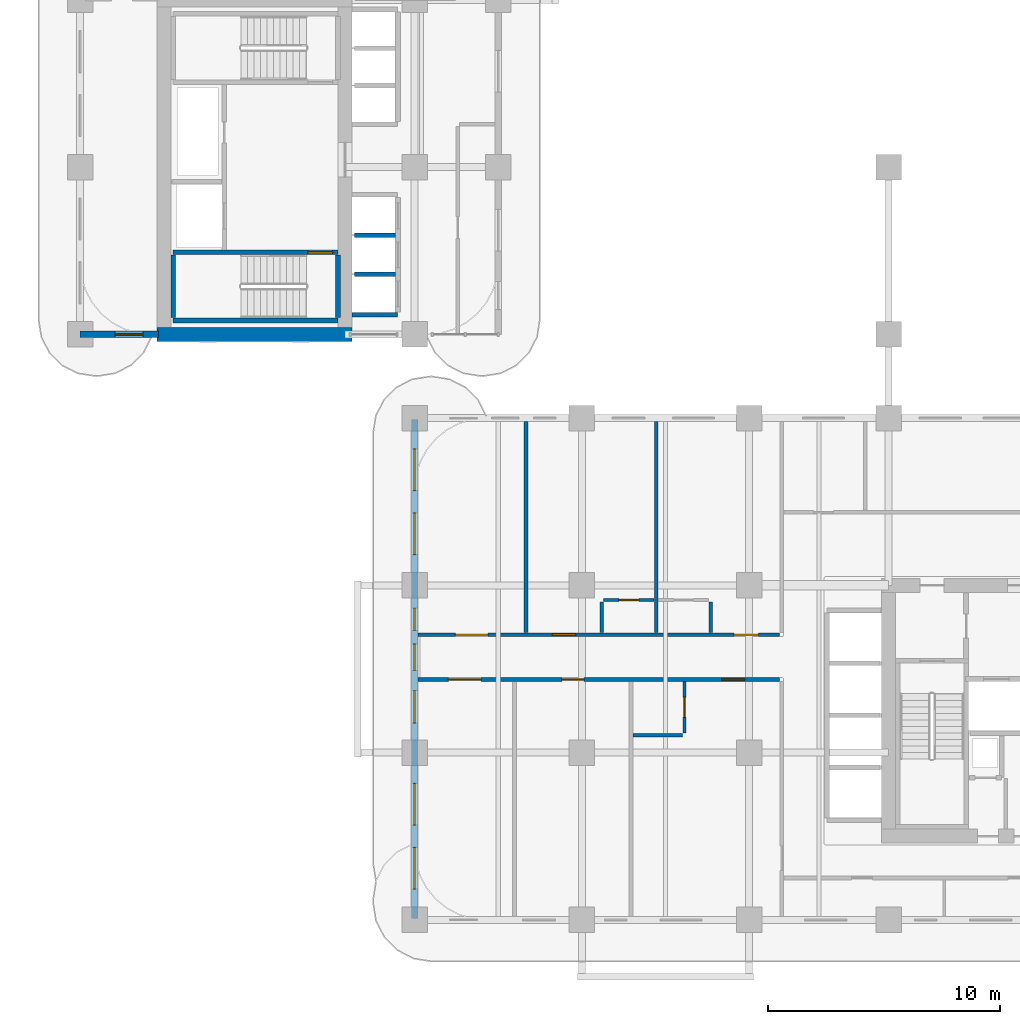
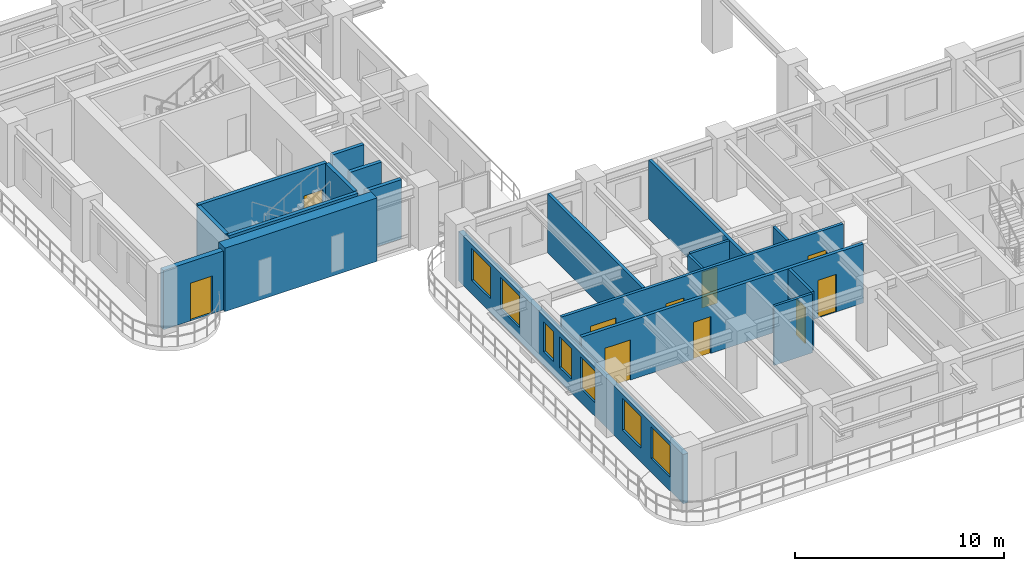
# One storey, part 6 of 18: 19 walls, 10 doors, 7 windows, 17 openings.
"""IFC4 building model written with IfcOpenShell, lengths in metres."""

from ifc_helpers import new_model, si_unit, derived_unit, direction, frame, frame_2d, origin, place, context, subcontext, project, spatial, rectangle, extrude, source, transform, mapped, material, layer, layer_set, type_object, type_shapes, element, fill, save


model = new_model("IFC4")

# Units and contexts
model_context = context("Model", 3, precision=1e-05, world=origin(), true_north=direction((0.0, 1.0)))
body_context = subcontext(model_context, "Body", "Model", "MODEL_VIEW")
ifc_project = project(units=[si_unit("LENGTHUNIT", "METRE"), si_unit("AREAUNIT", "SQUARE_METRE"), si_unit("VOLUMEUNIT", "CUBIC_METRE"), si_unit("PLANEANGLEUNIT", "RADIAN"), si_unit("MASSUNIT", "GRAM", prefix="KILO"), si_unit("THERMODYNAMICTEMPERATUREUNIT", "KELVIN"), si_unit("POWERUNIT", "WATT"), derived_unit("THERMALTRANSMITTANCEUNIT", [(si_unit("POWERUNIT", "WATT"), 1), (si_unit("AREAUNIT", "SQUARE_METRE"), -1), (si_unit("THERMODYNAMICTEMPERATUREUNIT", "KELVIN"), -1)])], contexts=[model_context])

# Site, building, storey
site_placement = place(None, origin())
site = spatial("IfcSite", under=ifc_project, at=site_placement, CompositionType="ELEMENT")
building_placement = place(site_placement, origin())
building = spatial("IfcBuilding", under=site, at=building_placement, Name="Zahravan Archway Hotel and Residences", CompositionType="ELEMENT")
storey_placement = place(building_placement, frame((0.0, 0.0, 50.89990234375)))
storey = spatial("IfcBuildingStorey", under=building, at=storey_placement, Name="L11", CompositionType="ELEMENT", Elevation=50.89990234375)

# Wall
ifc_material_1 = material(Name="Concrete C70/85", Category="concrete")
ifc_layer_1 = layer(ifc_material_1, 0.60009765625, Name="Concrete C70/85", Category="concrete")
ifc_layer_set_1 = layer_set([ifc_layer_1], Name="Concrete C70/85")
wall_type_1 = type_object("IfcWallType", Name="CW-CORE-600", PredefinedType="SHEAR", material=ifc_layer_set_1)
wall_1_placement = place(storey_placement, frame((3.300048828125, 25.199951171875, 0.0), z_axis=(0.0, 0.0, 1.0), x_axis=(1.0, 0.0, 0.0)))
element("IfcWall", 1, at=wall_1_placement, inside=storey, type_object=wall_type_1, Name="L11 Core B Shear S Wall 600 mm", PredefinedType="SHEAR", context=body_context, shape_type="SweptSolid", body=[
    extrude(rectangle(XDim=8.39990234375, YDim=0.60009765625, at=frame_2d((4.199951171875, 0.0))), origin(), (0.0, 0.0, 1.0), 3.7001953125),
])

# Wall, openings, windows
ifc_material_2 = material(Name="Honed Red-Ochre Sandstone & Insulated Block", Category="masonry")
ifc_layer_2 = layer(ifc_material_2, 0.280029296875, Name="Honed Red-Ochre Sandstone & Insulated Block", Category="masonry")
ifc_layer_set_2 = layer_set([ifc_layer_2], Name="Honed Red-Ochre Sandstone & Insulated Block")
wall_type_2 = type_object("IfcWallType", Name="EW-LOG-280", PredefinedType="SOLIDWALL", material=ifc_layer_set_2)
wall_2_placement = place(storey_placement, frame((14.39990234375, 0.050048828125, 0.0), z_axis=(0.0, 0.0, 1.0), x_axis=(0.0, 1.0, 0.0)))
wall_2 = element("IfcWall", 2, at=wall_2_placement, inside=storey, type_object=wall_type_2, Name="L11 Exterior Sandstone Wall WA-W", PredefinedType="SOLIDWALL", context=body_context, shape_type="SweptSolid", body=[
    extrude(rectangle(XDim=21.5, YDim=0.280029296875, at=frame_2d((10.75, 0.0))), origin(), (0.0, 0.0, 1.0), 2.885009765625),
])
opening_1_placement = place(wall_2_placement, frame((1.27490234375, 0.0, 0.800048828125)))
opening_1 = element("IfcOpeningElement", 3, at=opening_1_placement, cuts=wall_2, Name="Opening W-02", PredefinedType="OPENING", context=body_context, shape_type="SweptSolid", body=[
    extrude(rectangle(XDim=1.800048828125, YDim=1.85009765625, at=frame_2d((0.89990234375, 0.925048828125))), frame((0.0, 0.14990234375, 0.0), z_axis=(0.0, -1.0, 0.0), x_axis=(1.0, 0.0, 0.0)), (0.0, 0.0, 1.0), 0.300048828125),
])
opening_2_placement = place(wall_2_placement, frame((4.02490234375, 0.0, 0.800048828125)))
opening_2 = element("IfcOpeningElement", 4, at=opening_2_placement, cuts=wall_2, Name="Opening W-02", PredefinedType="OPENING", context=body_context, shape_type="SweptSolid", body=[
    extrude(rectangle(XDim=1.800048828125, YDim=1.85009765625, at=frame_2d((0.89990234375, 0.925048828125))), frame((0.0, 0.14990234375, 0.0), z_axis=(0.0, -1.0, 0.0), x_axis=(1.0, 0.0, 0.0)), (0.0, 0.0, 1.0), 0.300048828125),
])
opening_3_placement = place(wall_2_placement, frame((8.4208984375, 0.0, 0.800048828125)))
opening_3 = element("IfcOpeningElement", 5, at=opening_3_placement, cuts=wall_2, Name="Opening W-03", PredefinedType="OPENING", context=body_context, shape_type="SweptSolid", body=[
    extrude(rectangle(XDim=1.39990234375, YDim=1.85009765625, at=frame_2d((0.699951171875, 0.925048828125))), frame((0.0, 0.14990234375, 0.0), z_axis=(0.0, -1.0, 0.0), x_axis=(1.0, 0.0, 0.0)), (0.0, 0.0, 1.0), 0.300048828125),
])
opening_4_placement = place(wall_2_placement, frame((10.68505859375, 0.0, 0.800048828125)))
opening_4 = element("IfcOpeningElement", 6, at=opening_4_placement, cuts=wall_2, Name="Opening W-05", PredefinedType="OPENING", context=body_context, shape_type="SweptSolid", body=[
    extrude(rectangle(XDim=1.14990234375, YDim=1.800048828125, at=frame_2d((0.574951171875, 0.89990234375))), frame((0.0, 0.14990234375, 0.0), z_axis=(0.0, -1.0, 0.0), x_axis=(1.0, 0.0, 0.0)), (0.0, 0.0, 1.0), 0.300048828125),
])
opening_5_placement = place(wall_2_placement, frame((12.4140625, 0.0, 0.800048828125)))
opening_5 = element("IfcOpeningElement", 7, at=opening_5_placement, cuts=wall_2, Name="Opening W-04", PredefinedType="OPENING", context=body_context, shape_type="SweptSolid", body=[
    extrude(rectangle(XDim=0.949951171875, YDim=1.75, at=frame_2d((0.47509765625, 0.875))), frame((0.0, 0.14990234375, 0.0), z_axis=(0.0, -1.0, 0.0), x_axis=(1.0, 0.0, 0.0)), (0.0, 0.0, 1.0), 0.300048828125),
])
opening_6_placement = place(wall_2_placement, frame((15.675048828125, 0.0, 0.800048828125)))
opening_6 = element("IfcOpeningElement", 8, at=opening_6_placement, cuts=wall_2, Name="Opening W-02", PredefinedType="OPENING", context=body_context, shape_type="SweptSolid", body=[
    extrude(rectangle(XDim=1.800048828125, YDim=1.85009765625, at=frame_2d((0.89990234375, 0.925048828125))), frame((0.0, 0.14990234375, 0.0), z_axis=(0.0, -1.0, 0.0), x_axis=(1.0, 0.0, 0.0)), (0.0, 0.0, 1.0), 0.300048828125),
])
opening_7_placement = place(wall_2_placement, frame((18.425048828125, 0.0, 0.800048828125)))
opening_7 = element("IfcOpeningElement", 9, at=opening_7_placement, cuts=wall_2, Name="Opening W-02", PredefinedType="OPENING", context=body_context, shape_type="SweptSolid", body=[
    extrude(rectangle(XDim=1.800048828125, YDim=1.85009765625, at=frame_2d((0.89990234375, 0.925048828125))), frame((0.0, 0.14990234375, 0.0), z_axis=(0.0, -1.0, 0.0), x_axis=(1.0, 0.0, 0.0)), (0.0, 0.0, 1.0), 0.300048828125),
])
ifc_material_3 = material(Name="Bronze-Anodized Thermal-Break Aluminium & Low-E Glass", Category="aluminium")
window_type_1 = type_object("IfcWindowType", Name="WIN-TWR-1400", PartitioningType="SINGLE_PANEL", PredefinedType="WINDOW", material=ifc_material_3)
shared_shape_1 = source(origin(), body_context, "Body", "SweptSolid", [
    extrude(rectangle(XDim=1.39990234375, YDim=1.85009765625, at=frame_2d((0.699951171875, 0.925048828125))), frame((0.0, 0.030029296875, 0.0), z_axis=(0.0, -1.0, 0.0), x_axis=(1.0, 0.0, 0.0)), (0.0, 0.0, 1.0), 0.06005859375),
])
type_shapes(window_type_1, [shared_shape_1])
window_1_placement = place(opening_3_placement, origin())
window_1 = element("IfcWindow", 10, at=window_1_placement, inside=storey, type_object=window_type_1, Name="L11 Loggia Window 29", OverallHeight=1.85009765625, OverallWidth=1.39990234375, PartitioningType="SINGLE_PANEL", PredefinedType="WINDOW", context=body_context, shape_type="MappedRepresentation", body=[
    mapped(shared_shape_1, transform((0.0, 0.0, 0.0), scale=1.0)),
])
fill(opening_3, window_1)
window_type_2 = type_object("IfcWindowType", Name="WIN-NAR-950", PartitioningType="SINGLE_PANEL", PredefinedType="WINDOW", material=ifc_material_3)
shared_shape_2 = source(origin(), body_context, "Body", "SweptSolid", [
    extrude(rectangle(XDim=0.949951171875, YDim=1.75, at=frame_2d((0.47509765625, 0.875))), frame((0.0, 0.030029296875, 0.0), z_axis=(0.0, -1.0, 0.0), x_axis=(1.0, 0.0, 0.0)), (0.0, 0.0, 1.0), 0.06005859375),
])
type_shapes(window_type_2, [shared_shape_2])
window_2_placement = place(opening_5_placement, origin())
window_2 = element("IfcWindow", 11, at=window_2_placement, inside=storey, type_object=window_type_2, Name="L11 Loggia Window 31", OverallHeight=1.75, OverallWidth=0.949951171875, PartitioningType="SINGLE_PANEL", PredefinedType="WINDOW", context=body_context, shape_type="MappedRepresentation", body=[
    mapped(shared_shape_2, transform((0.0, 0.0, 0.0), scale=1.0)),
])
fill(opening_5, window_2)
window_type_3 = type_object("IfcWindowType", Name="WIN-TWR-1800", PartitioningType="DOUBLE_PANEL_VERTICAL", PredefinedType="WINDOW", material=ifc_material_3)
shared_shape_3 = source(origin(), body_context, "Body", "SweptSolid", [
    extrude(rectangle(XDim=1.800048828125, YDim=1.85009765625, at=frame_2d((0.89990234375, 0.925048828125))), frame((0.0, 0.030029296875, 0.0), z_axis=(0.0, -1.0, 0.0), x_axis=(1.0, 0.0, 0.0)), (0.0, 0.0, 1.0), 0.06005859375),
])
type_shapes(window_type_3, [shared_shape_3])
window_3_placement = place(opening_1_placement, origin())
window_3 = element("IfcWindow", 12, at=window_3_placement, inside=storey, type_object=window_type_3, Name="L11 Loggia Window 27", OverallHeight=1.85009765625, OverallWidth=1.800048828125, PartitioningType="DOUBLE_PANEL_VERTICAL", PredefinedType="WINDOW", context=body_context, shape_type="MappedRepresentation", body=[
    mapped(shared_shape_3, transform((0.0, 0.0, 0.0), scale=1.0)),
])
fill(opening_1, window_3)
window_4_placement = place(opening_2_placement, origin())
window_4 = element("IfcWindow", 13, at=window_4_placement, inside=storey, type_object=window_type_3, Name="L11 Loggia Window 28", OverallHeight=1.85009765625, OverallWidth=1.800048828125, PartitioningType="DOUBLE_PANEL_VERTICAL", PredefinedType="WINDOW", context=body_context, shape_type="MappedRepresentation", body=[
    mapped(shared_shape_3, transform((0.0, 0.0, 0.0), scale=1.0)),
])
fill(opening_2, window_4)
window_5_placement = place(opening_6_placement, origin())
window_5 = element("IfcWindow", 14, at=window_5_placement, inside=storey, type_object=window_type_3, Name="L11 Loggia Window 32", OverallHeight=1.85009765625, OverallWidth=1.800048828125, PartitioningType="DOUBLE_PANEL_VERTICAL", PredefinedType="WINDOW", context=body_context, shape_type="MappedRepresentation", body=[
    mapped(shared_shape_3, transform((0.0, 0.0, 0.0), scale=1.0)),
])
fill(opening_6, window_5)
window_6_placement = place(opening_7_placement, origin())
window_6 = element("IfcWindow", 15, at=window_6_placement, inside=storey, type_object=window_type_3, Name="L11 Loggia Window 33", OverallHeight=1.85009765625, OverallWidth=1.800048828125, PartitioningType="DOUBLE_PANEL_VERTICAL", PredefinedType="WINDOW", context=body_context, shape_type="MappedRepresentation", body=[
    mapped(shared_shape_3, transform((0.0, 0.0, 0.0), scale=1.0)),
])
fill(opening_7, window_6)
window_type_4 = type_object("IfcWindowType", Name="WIN-TWR-1150", PartitioningType="SINGLE_PANEL", PredefinedType="WINDOW", material=ifc_material_3)
shared_shape_4 = source(origin(), body_context, "Body", "SweptSolid", [
    extrude(rectangle(XDim=1.14990234375, YDim=1.800048828125, at=frame_2d((0.574951171875, 0.89990234375))), frame((0.0, 0.030029296875, 0.0), z_axis=(0.0, -1.0, 0.0), x_axis=(1.0, 0.0, 0.0)), (0.0, 0.0, 1.0), 0.06005859375),
])
type_shapes(window_type_4, [shared_shape_4])
window_7_placement = place(opening_4_placement, origin())
window_7 = element("IfcWindow", 16, at=window_7_placement, inside=storey, type_object=window_type_4, Name="L11 Loggia Window 30", OverallHeight=1.800048828125, OverallWidth=1.14990234375, PartitioningType="SINGLE_PANEL", PredefinedType="WINDOW", context=body_context, shape_type="MappedRepresentation", body=[
    mapped(shared_shape_4, transform((0.0, 0.0, 0.0), scale=1.0)),
])
fill(opening_4, window_7)

# Wall, opening, door
wall_3_placement = place(storey_placement, frame((0.0, 25.199951171875, 0.0), z_axis=(0.0, 0.0, 1.0), x_axis=(1.0, 0.0, 0.0)))
wall_3 = element("IfcWall", 17, at=wall_3_placement, inside=storey, type_object=wall_type_2, Name="L11 Exterior Sandstone Wall WB-SW", PredefinedType="SOLIDWALL", context=body_context, shape_type="SweptSolid", body=[
    extrude(rectangle(XDim=3.3798828125, YDim=0.280029296875, at=frame_2d((1.68994140625, 0.0))), origin(), (0.0, 0.0, 1.0), 3.4501953125),
])
opening_8_placement = place(wall_3_placement, frame((1.5, 0.0, 0.0)))
opening_8 = element("IfcOpeningElement", 18, at=opening_8_placement, cuts=wall_3, Name="Opening ED-BL1", PredefinedType="OPENING", context=body_context, shape_type="SweptSolid", body=[
    extrude(rectangle(XDim=1.199951171875, YDim=2.199951171875, at=frame_2d((0.60009765625, 1.10009765625))), frame((0.0, 0.14990234375, 0.0), z_axis=(0.0, -1.0, 0.0), x_axis=(1.0, 0.0, 0.0)), (0.0, 0.0, 1.0), 0.300048828125),
])
ifc_material_4 = material(Name="Bronze-Anodized Glazed Aluminium", Category="aluminium")
door_type_1 = type_object("IfcDoorType", Name="ED-BALC-1200", OperationType="SLIDING_TO_LEFT", PredefinedType="DOOR", material=ifc_material_4)
shared_shape_5 = source(origin(), body_context, "Body", "SweptSolid", [
    extrude(rectangle(XDim=1.199951171875, YDim=2.199951171875, at=frame_2d((0.60009765625, 1.10009765625))), frame((0.0, 0.02490234375, 0.0), z_axis=(0.0, -1.0, 0.0), x_axis=(1.0, 0.0, 0.0)), (0.0, 0.0, 1.0), 0.050048828125),
])
type_shapes(door_type_1, [shared_shape_5])
door_1_placement = place(opening_8_placement, origin())
door_1 = element("IfcDoor", 19, at=door_1_placement, inside=storey, type_object=door_type_1, Name="L11 Outdoor Access Sliding Door (SLB-BAL-L11-WB)", OperationType="SLIDING_TO_LEFT", OverallHeight=2.199951171875, OverallWidth=1.199951171875, PredefinedType="DOOR", context=body_context, shape_type="MappedRepresentation", body=[
    mapped(shared_shape_5, transform((0.0, 0.0, 0.0), scale=1.0)),
])
fill(opening_8, door_1)

# Wall, openings, doors
ifc_material_5 = material(Name="Fire-Rated Gypsum & Concrete Block", Category="concrete")
ifc_layer_3 = layer(ifc_material_5, 0.159912109375, Name="Fire-Rated Gypsum & Concrete Block", Category="concrete")
ifc_layer_set_3 = layer_set([ifc_layer_3], Name="Fire-Rated Gypsum & Concrete Block")
wall_type_3 = type_object("IfcWallType", Name="PW-CORR-160", PredefinedType="PARTITIONING", material=ifc_layer_set_3)
wall_4_placement = place(storey_placement, frame((14.548095703125, 12.27001953125, 0.0), z_axis=(0.0, 0.0, 1.0), x_axis=(1.0, 0.0, 0.0)))
wall_4 = element("IfcWall", 20, at=wall_4_placement, inside=storey, type_object=wall_type_3, Name="L11 Partition WA-CN", PredefinedType="PARTITIONING", context=body_context, shape_type="SweptSolid", body=[
    extrude(rectangle(XDim=15.56201171875, YDim=0.159912109375, at=frame_2d((7.781005859375, 0.0))), origin(), (0.0, 0.0, 1.0), 3.4501953125),
])
opening_9_placement = place(wall_4_placement, frame((1.60205078125, 0.0, 0.0)))
opening_9 = element("IfcOpeningElement", 21, at=opening_9_placement, cuts=wall_4, Name="Opening D-P1", PredefinedType="OPENING", context=body_context, shape_type="SweptSolid", body=[
    extrude(rectangle(XDim=1.39990234375, YDim=2.35009765625, at=frame_2d((0.699951171875, 1.175048828125))), frame((0.0, 0.08984375, 0.0), z_axis=(0.0, -1.0, 0.0), x_axis=(1.0, 0.0, 0.0)), (0.0, 0.0, 1.0), 0.179931640625),
])
opening_10_placement = place(wall_4_placement, frame((5.777099609375, 0.0, 0.0)))
opening_10 = element("IfcOpeningElement", 22, at=opening_10_placement, cuts=wall_4, Name="Opening D-U2", PredefinedType="OPENING", context=body_context, shape_type="SweptSolid", body=[
    extrude(rectangle(XDim=1.0, YDim=2.199951171875, at=frame_2d((0.5, 1.10009765625))), frame((0.0, 0.08984375, 0.0), z_axis=(0.0, -1.0, 0.0), x_axis=(1.0, 0.0, 0.0)), (0.0, 0.0, 1.0), 0.179931640625),
])
opening_11_placement = place(wall_4_placement, frame((13.60205078125, 0.0, 0.0)))
opening_11 = element("IfcOpeningElement", 23, at=opening_11_placement, cuts=wall_4, Name="Opening D-U1", PredefinedType="OPENING", context=body_context, shape_type="SweptSolid", body=[
    extrude(rectangle(XDim=1.050048828125, YDim=2.25, at=frame_2d((0.52490234375, 1.125))), frame((0.0, 0.08984375, 0.0), z_axis=(0.0, -1.0, 0.0), x_axis=(1.0, 0.0, 0.0)), (0.0, 0.0, 1.0), 0.179931640625),
])
door_type_2 = type_object("IfcDoorType", Name="ID-PUBLIC-1400", OperationType="DOUBLE_DOOR_SINGLE_SWING", PredefinedType="DOOR", material=ifc_material_4)
shared_shape_6 = source(origin(), body_context, "Body", "SweptSolid", [
    extrude(rectangle(XDim=1.39990234375, YDim=2.35009765625, at=frame_2d((0.699951171875, 1.175048828125))), frame((0.0, 0.02490234375, 0.0), z_axis=(0.0, -1.0, 0.0), x_axis=(1.0, 0.0, 0.0)), (0.0, 0.0, 1.0), 0.050048828125),
])
type_shapes(door_type_2, [shared_shape_6])
door_2_placement = place(opening_9_placement, origin())
door_2 = element("IfcDoor", 24, at=door_2_placement, inside=storey, type_object=door_type_2, Name="L11 Portal Dining Door", OperationType="DOUBLE_DOOR_SINGLE_SWING", OverallHeight=2.35009765625, OverallWidth=1.39990234375, PredefinedType="DOOR", context=body_context, shape_type="MappedRepresentation", body=[
    mapped(shared_shape_6, transform((0.0, 0.0, 0.0), scale=1.0)),
])
fill(opening_9, door_2)
ifc_material_6 = material(Name="Hardwood Veneer Timber", Category="wood")
door_type_3 = type_object("IfcDoorType", Name="ID-UNIT-1050", OperationType="NOTDEFINED", PredefinedType="DOOR", material=ifc_material_6)
shared_shape_7 = source(origin(), body_context, "Body", "SweptSolid", [
    extrude(rectangle(XDim=1.050048828125, YDim=2.25, at=frame_2d((0.52490234375, 1.125))), frame((0.0, 0.02490234375, 0.0), z_axis=(0.0, -1.0, 0.0), x_axis=(1.0, 0.0, 0.0)), (0.0, 0.0, 1.0), 0.050048828125),
])
type_shapes(door_type_3, [shared_shape_7])
door_3_placement = place(opening_11_placement, origin())
door_3 = element("IfcDoor", 25, at=door_3_placement, inside=storey, type_object=door_type_3, Name="L11 Hotel Guestroom 44 Entrance Door", OperationType="SINGLE_SWING_LEFT", OverallHeight=2.25, OverallWidth=1.050048828125, PredefinedType="DOOR", context=body_context, shape_type="MappedRepresentation", body=[
    mapped(shared_shape_7, transform((0.0, 0.0, 0.0), scale=1.0)),
])
fill(opening_11, door_3)
door_type_4 = type_object("IfcDoorType", Name="ID-UNIT-1000", OperationType="NOTDEFINED", PredefinedType="DOOR", material=ifc_material_6)
shared_shape_8 = source(origin(), body_context, "Body", "SweptSolid", [
    extrude(rectangle(XDim=1.0, YDim=2.199951171875, at=frame_2d((0.5, 1.10009765625))), frame((0.0, 0.02490234375, 0.0), z_axis=(0.0, -1.0, 0.0), x_axis=(1.0, 0.0, 0.0)), (0.0, 0.0, 1.0), 0.050048828125),
])
type_shapes(door_type_4, [shared_shape_8])
door_4_placement = place(opening_10_placement, origin())
door_4 = element("IfcDoor", 26, at=door_4_placement, inside=storey, type_object=door_type_4, Name="L11 Hotel Guestroom 43 Entrance Door", OperationType="SINGLE_SWING_LEFT", OverallHeight=2.199951171875, OverallWidth=1.0, PredefinedType="DOOR", context=body_context, shape_type="MappedRepresentation", body=[
    mapped(shared_shape_8, transform((0.0, 0.0, 0.0), scale=1.0)),
])
fill(opening_10, door_4)

ifc_layer_4 = layer(ifc_material_5, 0.179931640625, Name="Fire-Rated Gypsum & Concrete Block", Category="concrete")
ifc_layer_set_4 = layer_set([ifc_layer_4], Name="Fire-Rated Gypsum & Concrete Block")
wall_type_4 = type_object("IfcWallType", Name="PW-CORR-180", PredefinedType="PARTITIONING", material=ifc_layer_set_4)
wall_5_placement = place(storey_placement, frame((14.548095703125, 10.35009765625, 0.0), z_axis=(0.0, 0.0, 1.0), x_axis=(1.0, 0.0, 0.0)))
wall_5 = element("IfcWall", 27, at=wall_5_placement, inside=storey, type_object=wall_type_4, Name="L11 Partition WA-CS", PredefinedType="PARTITIONING", context=body_context, shape_type="SweptSolid", body=[
    extrude(rectangle(XDim=15.56201171875, YDim=0.179931640625, at=frame_2d((7.781005859375, 0.0))), origin(), (0.0, 0.0, 1.0), 3.4501953125),
])
opening_12_placement = place(wall_5_placement, frame((1.302001953125, 0.0, 0.0)))
opening_12 = element("IfcOpeningElement", 28, at=opening_12_placement, cuts=wall_5, Name="Opening D-P1", PredefinedType="OPENING", context=body_context, shape_type="SweptSolid", body=[
    extrude(rectangle(XDim=1.39990234375, YDim=2.35009765625, at=frame_2d((0.699951171875, 1.175048828125))), frame((0.0, 0.10009765625, 0.0), z_axis=(0.0, -1.0, 0.0), x_axis=(1.0, 0.0, 0.0)), (0.0, 0.0, 1.0), 0.199951171875),
])
opening_13_placement = place(wall_5_placement, frame((6.18701171875, 0.0, 0.0)))
opening_13 = element("IfcOpeningElement", 29, at=opening_13_placement, cuts=wall_5, Name="Opening D-I1", PredefinedType="OPENING", context=body_context, shape_type="SweptSolid", body=[
    extrude(rectangle(XDim=0.949951171875, YDim=2.14990234375, at=frame_2d((0.47509765625, 1.074951171875))), frame((0.0, 0.10009765625, 0.0), z_axis=(0.0, -1.0, 0.0), x_axis=(1.0, 0.0, 0.0)), (0.0, 0.0, 1.0), 0.199951171875),
])
opening_14_placement = place(wall_5_placement, frame((13.06201171875, 0.0, 0.0)))
opening_14 = element("IfcOpeningElement", 30, at=opening_14_placement, cuts=wall_5, Name="Opening D-U2", PredefinedType="OPENING", context=body_context, shape_type="SweptSolid", body=[
    extrude(rectangle(XDim=1.0, YDim=2.199951171875, at=frame_2d((0.5, 1.10009765625))), frame((0.0, 0.10009765625, 0.0), z_axis=(0.0, -1.0, 0.0), x_axis=(1.0, 0.0, 0.0)), (0.0, 0.0, 1.0), 0.199951171875),
])
door_5_placement = place(opening_12_placement, origin())
door_5 = element("IfcDoor", 31, at=door_5_placement, inside=storey, type_object=door_type_2, Name="L11 West Majlis Door", OperationType="DOUBLE_DOOR_SINGLE_SWING", OverallHeight=2.35009765625, OverallWidth=1.39990234375, PredefinedType="DOOR", context=body_context, shape_type="MappedRepresentation", body=[
    mapped(shared_shape_6, transform((0.0, 0.0, 0.0), scale=1.0)),
])
fill(opening_12, door_5)
door_type_5 = type_object("IfcDoorType", Name="ID-INT-950", OperationType="NOTDEFINED", PredefinedType="DOOR", material=ifc_material_6)
shared_shape_9 = source(origin(), body_context, "Body", "SweptSolid", [
    extrude(rectangle(XDim=0.949951171875, YDim=2.14990234375, at=frame_2d((0.47509765625, 1.074951171875))), frame((0.0, 0.02490234375, 0.0), z_axis=(0.0, -1.0, 0.0), x_axis=(1.0, 0.0, 0.0)), (0.0, 0.0, 1.0), 0.050048828125),
])
type_shapes(door_type_5, [shared_shape_9])
door_6_placement = place(opening_13_placement, origin())
door_6 = element("IfcDoor", 32, at=door_6_placement, inside=storey, type_object=door_type_5, Name="L11 Boardroom Door", OperationType="SINGLE_SWING_RIGHT", OverallHeight=2.14990234375, OverallWidth=0.949951171875, PredefinedType="DOOR", context=body_context, shape_type="MappedRepresentation", body=[
    mapped(shared_shape_9, transform((0.0, 0.0, 0.0), scale=1.0)),
])
fill(opening_13, door_6)
door_7_placement = place(opening_14_placement, origin())
door_7 = element("IfcDoor", 33, at=door_7_placement, inside=storey, type_object=door_type_4, Name="L11 Hotel Guestroom 21 Entrance Door", OperationType="SINGLE_SWING_RIGHT", OverallHeight=2.199951171875, OverallWidth=1.0, PredefinedType="DOOR", context=body_context, shape_type="MappedRepresentation", body=[
    mapped(shared_shape_8, transform((0.0, 0.0, 0.0), scale=1.0)),
])
fill(opening_14, door_7)

# Walls
ifc_layer_5 = layer(ifc_material_5, 0.199951171875, Name="Fire-Rated Gypsum & Concrete Block", Category="concrete")
ifc_layer_set_5 = layer_set([ifc_layer_5], Name="Fire-Rated Gypsum & Concrete Block")
wall_type_5 = type_object("IfcWallType", Name="PW-SHAFT-200", PredefinedType="PARTITIONING", material=ifc_layer_set_5)
wall_6_placement = place(storey_placement, frame((11.7099609375, 26.050048828125, 0.0), z_axis=(0.0, 0.0, 1.0), x_axis=(1.0, 0.0, 0.0)))
element("IfcWall", 34, at=wall_6_placement, inside=storey, type_object=wall_type_5, Name="L11 Partition B1-S", PredefinedType="PARTITIONING", context=body_context, shape_type="SweptSolid", body=[
    extrude(rectangle(XDim=1.9599609375, YDim=0.199951171875, at=frame_2d((0.97998046875, 0.0))), origin(), (0.0, 0.0, 1.0), 3.4501953125),
])
for number, where, z_axis, x_axis, name in (
    (35, (11.81005859375, 27.7900390625, 0.0), (0.0, 0.0, 1.0), (1.0, 0.0, 0.0), "L11 Partition B1-D"),
    (36, (11.81005859375, 29.469970703125, 0.0), (0.0, 0.0, 1.0), (1.0, 0.0, 0.0), "L11 Partition B1-D"),
):
    element("IfcWall", number, at=place(storey_placement, frame(where, z_axis=z_axis, x_axis=x_axis)), inside=storey, type_object=wall_type_5, Name=name, PredefinedType="PARTITIONING", context=body_context, shape_type="SweptSolid", body=[
        extrude(rectangle(XDim=1.760009765625, YDim=0.199951171875, at=frame_2d((0.8798828125, 0.0))), origin(), (0.0, 0.0, 1.0), 3.4501953125),
    ])
ifc_material_7 = material(Name="Acoustic Stud Partition")
ifc_layer_6 = layer(ifc_material_7, 0.169921875, Name="Acoustic Stud Partition")
ifc_layer_set_6 = layer_set([ifc_layer_6], Name="Acoustic Stud Partition")
wall_type_6 = type_object("IfcWallType", Name="PW-UNIT-170", PredefinedType="PARTITIONING", material=ifc_layer_set_6)
for number, where, z_axis, x_axis, name in (
    (37, (19.199951171875, 12.360107421875, 0.0), (0.0, 0.0, 1.0), (0.0, 1.0, 0.0), "L11 Partition WAN-P2A"),
    (38, (24.800048828125, 12.360107421875, 0.0), (0.0, 0.0, 1.0), (0.0, 1.0, 0.0), "L11 Partition WAN-P2B"),
):
    element("IfcWall", number, at=place(storey_placement, frame(where, z_axis=z_axis, x_axis=x_axis)), inside=storey, type_object=wall_type_6, Name=name, PredefinedType="PARTITIONING", context=body_context, shape_type="SweptSolid", body=[
        extrude(rectangle(XDim=9.091796875, YDim=0.169921875, at=frame_2d((4.5458984375, 0.0))), origin(), (0.0, 0.0, 1.0), 3.4501953125),
    ])

# Wall, opening, door
ifc_material_8 = material(Name="Moisture-Resistant Blockwork", Category="masonry")
ifc_layer_7 = layer(ifc_material_8, 0.139892578125, Name="Moisture-Resistant Blockwork", Category="masonry")
ifc_layer_set_7 = layer_set([ifc_layer_7], Name="Moisture-Resistant Blockwork")
wall_type_7 = type_object("IfcWallType", Name="PW-WET-140", PredefinedType="PARTITIONING", material=ifc_layer_set_7)
wall_7_placement = place(storey_placement, frame((26.02001953125, 8.0400390625, 0.0), z_axis=(0.0, 0.0, 1.0), x_axis=(0.0, 1.0, 0.0)))
wall_7 = element("IfcWall", 39, at=wall_7_placement, inside=storey, type_object=wall_type_7, Name="L11 Partition HKB-V21", PredefinedType="PARTITIONING", context=body_context, shape_type="SweptSolid", body=[
    extrude(rectangle(XDim=2.219970703125, YDim=0.139892578125, at=frame_2d((1.10986328125, 0.0))), origin(), (0.0, 0.0, 1.0), 3.4501953125),
])
opening_15_placement = place(wall_7_placement, frame((0.68505859375, 0.0, 0.0)))
opening_15 = element("IfcOpeningElement", 40, at=opening_15_placement, cuts=wall_7, Name="Opening D-B1", PredefinedType="OPENING", context=body_context, shape_type="SweptSolid", body=[
    extrude(rectangle(XDim=0.85009765625, YDim=2.10009765625, at=frame_2d((0.425048828125, 1.050048828125))), frame((0.0, 0.080078125, 0.0), z_axis=(0.0, -1.0, 0.0), x_axis=(1.0, 0.0, 0.0)), (0.0, 0.0, 1.0), 0.159912109375),
])
door_type_6 = type_object("IfcDoorType", Name="ID-BATH-850", OperationType="NOTDEFINED", PredefinedType="DOOR", material=ifc_material_6)
shared_shape_10 = source(origin(), body_context, "Body", "SweptSolid", [
    extrude(rectangle(XDim=0.85009765625, YDim=2.10009765625, at=frame_2d((0.425048828125, 1.050048828125))), frame((0.0, 0.02490234375, 0.0), z_axis=(0.0, -1.0, 0.0), x_axis=(1.0, 0.0, 0.0)), (0.0, 0.0, 1.0), 0.050048828125),
])
type_shapes(door_type_6, [shared_shape_10])
door_8_placement = place(opening_15_placement, origin())
door_8 = element("IfcDoor", 41, at=door_8_placement, inside=storey, type_object=door_type_6, Name="L11 Guestroom 21 En-Suite Door", OperationType="SINGLE_SWING_LEFT", OverallHeight=2.10009765625, OverallWidth=0.85009765625, PredefinedType="DOOR", context=body_context, shape_type="MappedRepresentation", body=[
    mapped(shared_shape_10, transform((0.0, 0.0, 0.0), scale=1.0)),
])
fill(opening_15, door_8)

# Walls
wall_8_placement = place(storey_placement, frame((23.81005859375, 7.949951171875, 0.0), z_axis=(0.0, 0.0, 1.0), x_axis=(1.0, 0.0, 0.0)))
element("IfcWall", 42, at=wall_8_placement, inside=storey, type_object=wall_type_7, Name="L11 Partition HKB-H21", PredefinedType="PARTITIONING", context=body_context, shape_type="SweptSolid", body=[
    extrude(rectangle(XDim=2.119873046875, YDim=0.139892578125, at=frame_2d((1.06005859375, 0.0))), origin(), (0.0, 0.0, 1.0), 3.4501953125),
])
wall_9_placement = place(storey_placement, frame((22.449951171875, 12.360107421875, 0.0), z_axis=(0.0, 0.0, 1.0), x_axis=(0.0, 1.0, 0.0)))
element("IfcWall", 43, at=wall_9_placement, inside=storey, type_object=wall_type_7, Name="L11 Partition HKB-V43", PredefinedType="PARTITIONING", context=body_context, shape_type="SweptSolid", body=[
    extrude(rectangle(XDim=1.31982421875, YDim=0.139892578125, at=frame_2d((0.659912109375, 0.0))), origin(), (0.0, 0.0, 1.0), 3.4501953125),
])

# Wall, opening, door
wall_10_placement = place(storey_placement, frame((22.5400390625, 13.77001953125, 0.0), z_axis=(0.0, 0.0, 1.0), x_axis=(1.0, 0.0, 0.0)))
wall_10 = element("IfcWall", 44, at=wall_10_placement, inside=storey, type_object=wall_type_7, Name="L11 Partition HKB-H43", PredefinedType="PARTITIONING", context=body_context, shape_type="SweptSolid", body=[
    extrude(rectangle(XDim=2.169921875, YDim=0.139892578125, at=frame_2d((1.0849609375, 0.0))), origin(), (0.0, 0.0, 1.0), 3.4501953125),
])
opening_16_placement = place(wall_10_placement, frame((0.659912109375, 0.0, 0.0)))
opening_16 = element("IfcOpeningElement", 45, at=opening_16_placement, cuts=wall_10, Name="Opening D-B1", PredefinedType="OPENING", context=body_context, shape_type="SweptSolid", body=[
    extrude(rectangle(XDim=0.85009765625, YDim=2.10009765625, at=frame_2d((0.425048828125, 1.050048828125))), frame((0.0, 0.080078125, 0.0), z_axis=(0.0, -1.0, 0.0), x_axis=(1.0, 0.0, 0.0)), (0.0, 0.0, 1.0), 0.159912109375),
])
door_9_placement = place(opening_16_placement, origin())
door_9 = element("IfcDoor", 46, at=door_9_placement, inside=storey, type_object=door_type_6, Name="L11 Guestroom 43 En-Suite Door", OperationType="SINGLE_SWING_RIGHT", OverallHeight=2.10009765625, OverallWidth=0.85009765625, PredefinedType="DOOR", context=body_context, shape_type="MappedRepresentation", body=[
    mapped(shared_shape_10, transform((0.0, 0.0, 0.0), scale=1.0)),
])
fill(opening_16, door_9)

# Walls
wall_11_placement = place(storey_placement, frame((27.14990234375, 12.360107421875, 0.0), z_axis=(0.0, 0.0, 1.0), x_axis=(0.0, 1.0, 0.0)))
element("IfcWall", 47, at=wall_11_placement, inside=storey, type_object=wall_type_7, Name="L11 Partition HKB-V44", PredefinedType="PARTITIONING", context=body_context, shape_type="SweptSolid", body=[
    extrude(rectangle(XDim=1.31982421875, YDim=0.139892578125, at=frame_2d((0.659912109375, 0.0))), origin(), (0.0, 0.0, 1.0), 3.4501953125),
])
ifc_material_9 = material(Name="Concrete C50/60", Category="concrete")
ifc_layer_8 = layer(ifc_material_9, 0.199951171875, Name="Concrete C50/60", Category="concrete")
ifc_layer_set_8 = layer_set([ifc_layer_8], Name="Concrete C50/60")
wall_type_8 = type_object("IfcWallType", Name="SW-STAIR-200", PredefinedType="SHEAR", material=ifc_layer_set_8)
wall_12_placement = place(storey_placement, frame((4.0, 25.800048828125, 0.0), z_axis=(0.0, 0.0, 1.0), x_axis=(1.0, 0.0, 0.0)))
element("IfcWall", 48, at=wall_12_placement, inside=storey, type_object=wall_type_8, Name="L11 Stairwell RC Wall CB-SB1S", PredefinedType="SHEAR", context=body_context, shape_type="SweptSolid", body=[
    extrude(rectangle(XDim=7.10009765625, YDim=0.199951171875, at=frame_2d((3.550048828125, 0.0))), origin(), (0.0, 0.0, 1.0), 3.7001953125),
])
for number, where, z_axis, x_axis, name in (
    (49, (4.0, 25.919921875, 0.0), (0.0, 0.0, 1.0), (0.0, 1.0, 0.0), "L11 Stairwell RC Wall CB-SB1W"),
    (50, (11.10009765625, 25.919921875, 0.0), (0.0, 0.0, 1.0), (0.0, 1.0, 0.0), "L11 Stairwell RC Wall CB-SB1E"),
):
    element("IfcWall", number, at=place(storey_placement, frame(where, z_axis=z_axis, x_axis=x_axis)), inside=storey, type_object=wall_type_8, Name=name, PredefinedType="SHEAR", context=body_context, shape_type="SweptSolid", body=[
        extrude(rectangle(XDim=2.7001953125, YDim=0.199951171875, at=frame_2d((1.35009765625, 0.0))), origin(), (0.0, 0.0, 1.0), 3.7001953125),
    ])

# Wall, opening, door
wall_13_placement = place(storey_placement, frame((4.0, 28.739990234375, 0.0), z_axis=(0.0, 0.0, 1.0), x_axis=(1.0, 0.0, 0.0)))
wall_13 = element("IfcWall", 51, at=wall_13_placement, inside=storey, type_object=wall_type_8, Name="L11 Stairwell RC Wall CB-SB1N", PredefinedType="SHEAR", context=body_context, shape_type="SweptSolid", body=[
    extrude(rectangle(XDim=7.10009765625, YDim=0.199951171875, at=frame_2d((3.550048828125, 0.0))), origin(), (0.0, 0.0, 1.0), 3.7001953125),
])
opening_17_placement = place(wall_13_placement, frame((5.81494140625, 0.0, 0.0)))
opening_17 = element("IfcOpeningElement", 52, at=opening_17_placement, cuts=wall_13, Name="Opening FD-S1", PredefinedType="OPENING", context=body_context, shape_type="SweptSolid", body=[
    extrude(rectangle(XDim=1.050048828125, YDim=2.199951171875, at=frame_2d((0.52490234375, 1.10009765625))), frame((0.0, 0.10986328125, 0.0), z_axis=(0.0, -1.0, 0.0), x_axis=(1.0, 0.0, 0.0)), (0.0, 0.0, 1.0), 0.219970703125),
])
ifc_material_10 = material(Name="Fire-Rated Painted Steel", Category="steel")
door_type_7 = type_object("IfcDoorType", Name="FD-STAIR-1100", OperationType="NOTDEFINED", PredefinedType="DOOR", material=ifc_material_10)
shared_shape_11 = source(origin(), body_context, "Body", "SweptSolid", [
    extrude(rectangle(XDim=1.050048828125, YDim=2.199951171875, at=frame_2d((0.52490234375, 1.10009765625))), frame((0.0, 0.02490234375, 0.0), z_axis=(0.0, -1.0, 0.0), x_axis=(1.0, 0.0, 0.0)), (0.0, 0.0, 1.0), 0.050048828125),
])
type_shapes(door_type_7, [shared_shape_11])
door_10_placement = place(opening_17_placement, origin())
door_10 = element("IfcDoor", 53, at=door_10_placement, inside=storey, type_object=door_type_7, Name="L11 Stair ST-B1 Door", OperationType="SINGLE_SWING_LEFT", OverallHeight=2.199951171875, OverallWidth=1.050048828125, PredefinedType="DOOR", context=body_context, shape_type="MappedRepresentation", body=[
    mapped(shared_shape_11, transform((0.0, 0.0, 0.0), scale=1.0)),
])
fill(opening_17, door_10)

save(model, "model.ifc")
